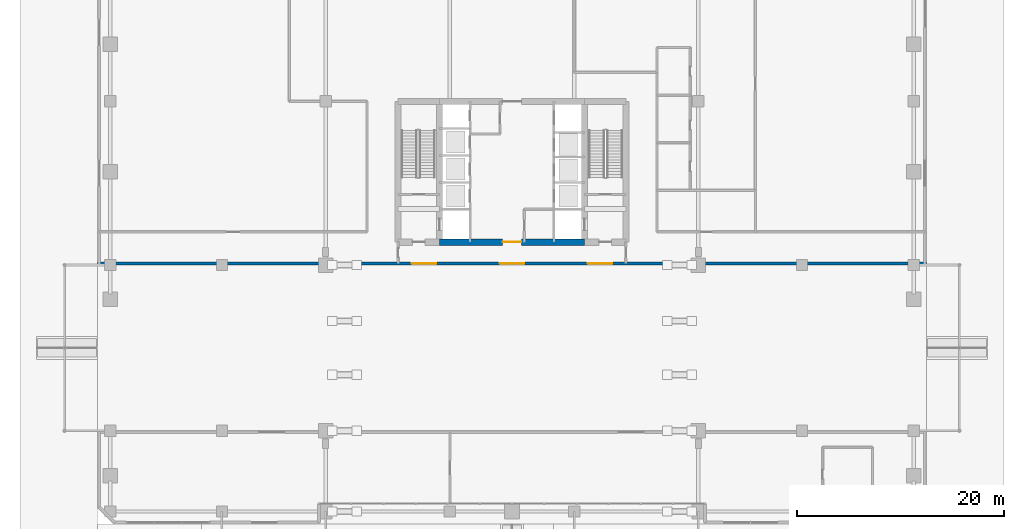
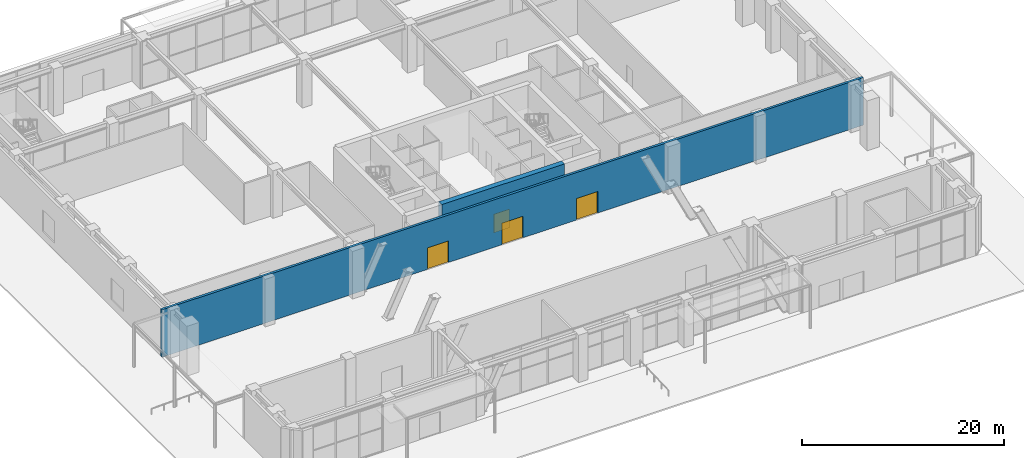
# One storey, part 36 of 49: 4 doors, 2 walls, 4 openings.
"""IFC4 building model written with IfcOpenShell, lengths in metres."""

from ifc_helpers import new_model, si_unit, direction, frame, frame_2d, origin, place, context, subcontext, project, spatial, rectangle, extrude, material, layer, layer_set, type_object, element, fill, save


model = new_model("IFC4")

# Units and contexts
model_context = context("Model", 3, precision=1e-05, world=origin(), true_north=direction((0.0, 1.0)))
body_context = subcontext(model_context, "Body", "Model", "MODEL_VIEW")
ifc_project = project(units=[si_unit("LENGTHUNIT", "METRE"), si_unit("AREAUNIT", "SQUARE_METRE"), si_unit("VOLUMEUNIT", "CUBIC_METRE"), si_unit("PLANEANGLEUNIT", "RADIAN"), si_unit("MASSUNIT", "GRAM", prefix="KILO")], contexts=[model_context])

# Site, building, storey
site_placement = place(None, origin())
site = spatial("IfcSite", under=ifc_project, at=site_placement, CompositionType="ELEMENT")
building_placement = place(site_placement, origin())
building = spatial("IfcBuilding", under=site, at=building_placement, Name="Sarneth Arch Tower", CompositionType="ELEMENT")
storey_placement = place(building_placement, origin())
storey = spatial("IfcBuildingStorey", under=building, at=storey_placement, Name="L00", CompositionType="ELEMENT", Elevation=0.0)

# Wall, opening, door
ifc_material_1 = material(Name="Concrete C60/75", Category="concrete")
ifc_layer_1 = layer(ifc_material_1, 0.60009765625)
ifc_layer_set_1 = layer_set([ifc_layer_1], Name="Concrete C60/75")
wall_type_1 = type_object("IfcWallType", Name="WALL-CORE-600", PredefinedType="SHEAR", material=ifc_layer_set_1)
wall_1_placement = place(storey_placement, frame((41.0, 35.199951171875, 0.0), z_axis=(0.0, 0.0, 1.0), x_axis=(1.0, 0.0, 0.0)))
wall_1 = element("IfcWall", 1, at=wall_1_placement, inside=storey, type_object=wall_type_1, Name="L00 Core shear wall S-M", PredefinedType="SHEAR", context=body_context, shape_type="SweptSolid", body=[
    extrude(rectangle(XDim=14.0, YDim=0.60009765625, at=frame_2d((7.0, 0.0))), origin(), (0.0, 0.0, 1.0), 5.719970703125),
])
opening_1_placement = place(wall_1_placement, frame((6.10009765625, 0.0, 0.0)))
opening_1 = element("IfcOpeningElement", 2, at=opening_1_placement, cuts=wall_1, Name="Opening FD-01", PredefinedType="OPENING", context=body_context, shape_type="SweptSolid", body=[
    extrude(rectangle(XDim=1.800048828125, YDim=2.25, at=frame_2d((0.89990234375, 1.125))), frame((0.0, 0.31005859375, 0.0), z_axis=(0.0, -1.0, 0.0), x_axis=(1.0, 0.0, 0.0)), (0.0, 0.0, 1.0), 0.6201171875),
])
ifc_material_2 = material(Name="Galvanised Steel S275 fire door set", Category="steel")
door_type_1 = type_object("IfcDoorType", Name="DR-FD90-1800", OperationType="DOUBLE_DOOR_SINGLE_SWING", PredefinedType="DOOR", material=ifc_material_2)
door_1_placement = place(opening_1_placement, origin())
door_1 = element("IfcDoor", 3, at=door_1_placement, inside=storey, type_object=door_type_1, Name="L00 Central lift lobby south door", OperationType="DOUBLE_DOOR_SINGLE_SWING", OverallHeight=2.25, OverallWidth=1.800048828125, PredefinedType="DOOR", context=body_context, shape_type="SweptSolid", body=[
    extrude(rectangle(XDim=1.800048828125, YDim=2.25, at=frame_2d((0.89990234375, 1.125))), frame((0.0, 0.02490234375, 0.0), z_axis=(0.0, -1.0, 0.0), x_axis=(1.0, 0.0, 0.0)), (0.0, 0.0, 1.0), 0.050048828125),
])
fill(opening_1, door_1)

# Wall, openings, doors
ifc_material_3 = material(Name="Extruded terracotta rainscreen on Concrete C40/50 backing", Category="masonry")
ifc_layer_2 = layer(ifc_material_3, 0.280029296875)
ifc_layer_set_2 = layer_set([ifc_layer_2], Name="Extruded terracotta rainscreen on Concrete C40/50 backing")
wall_type_2 = type_object("IfcWallType", Name="WALL-EXT-TERRA-280", PredefinedType="SOLIDWALL", material=ifc_layer_set_2)
wall_2_placement = place(storey_placement, frame((88.0, 33.14990234375, 0.0), z_axis=(0.0, 0.0, 1.0), x_axis=(-1.0, 0.0, 0.0)))
wall_2 = element("IfcWall", 4, at=wall_2_placement, inside=storey, type_object=wall_type_2, Name="L00 Arch passage north portal wall", PredefinedType="SOLIDWALL", context=body_context, shape_type="SweptSolid", body=[
    extrude(rectangle(XDim=80.0, YDim=0.280029296875, at=frame_2d((40.0, 0.0))), origin(), (0.0, 0.0, 1.0), 5.719970703125),
])
opening_2_placement = place(wall_2_placement, frame((47.300048828125, 0.0, 0.0)))
opening_2 = element("IfcOpeningElement", 5, at=opening_2_placement, cuts=wall_2, Name="Opening ED-1", PredefinedType="OPENING", context=body_context, shape_type="SweptSolid", body=[
    extrude(rectangle(XDim=2.39990234375, YDim=2.60009765625, at=frame_2d((1.199951171875, 1.300048828125))), frame((0.0, 0.14990234375, 0.0), z_axis=(0.0, -1.0, 0.0), x_axis=(1.0, 0.0, 0.0)), (0.0, 0.0, 1.0), 0.300048828125),
])
opening_3_placement = place(wall_2_placement, frame((38.800048828125, 0.0, 0.0)))
opening_3 = element("IfcOpeningElement", 6, at=opening_3_placement, cuts=wall_2, Name="Opening ED-1", PredefinedType="OPENING", context=body_context, shape_type="SweptSolid", body=[
    extrude(rectangle(XDim=2.39990234375, YDim=2.60009765625, at=frame_2d((1.199951171875, 1.300048828125))), frame((0.0, 0.14990234375, 0.0), z_axis=(0.0, -1.0, 0.0), x_axis=(1.0, 0.0, 0.0)), (0.0, 0.0, 1.0), 0.300048828125),
])
opening_4_placement = place(wall_2_placement, frame((30.300048828125, 0.0, 0.0)))
opening_4 = element("IfcOpeningElement", 7, at=opening_4_placement, cuts=wall_2, Name="Opening ED-1", PredefinedType="OPENING", context=body_context, shape_type="SweptSolid", body=[
    extrude(rectangle(XDim=2.39990234375, YDim=2.60009765625, at=frame_2d((1.199951171875, 1.300048828125))), frame((0.0, 0.14990234375, 0.0), z_axis=(0.0, -1.0, 0.0), x_axis=(1.0, 0.0, 0.0)), (0.0, 0.0, 1.0), 0.300048828125),
])
ifc_material_4 = material(Name="Thermally broken Aluminium 6063-T6 and laminated safety glass", Category="aluminium")
door_type_2 = type_object("IfcDoorType", Name="DR-EXT-DBL-2400", OperationType="DOUBLE_DOOR_SINGLE_SWING", PredefinedType="DOOR", material=ifc_material_4)
door_2_placement = place(opening_2_placement, origin())
door_2 = element("IfcDoor", 8, at=door_2_placement, inside=storey, type_object=door_type_2, Name="Arch Concourse North Portal Door 1", OperationType="DOUBLE_DOOR_SINGLE_SWING", OverallHeight=2.60009765625, OverallWidth=2.39990234375, PredefinedType="DOOR", context=body_context, shape_type="SweptSolid", body=[
    extrude(rectangle(XDim=2.39990234375, YDim=2.60009765625, at=frame_2d((1.199951171875, 1.300048828125))), frame((0.0, 0.02490234375, 0.0), z_axis=(0.0, -1.0, 0.0), x_axis=(1.0, 0.0, 0.0)), (0.0, 0.0, 1.0), 0.050048828125),
])
fill(opening_2, door_2)
door_3_placement = place(opening_3_placement, origin())
door_3 = element("IfcDoor", 9, at=door_3_placement, inside=storey, type_object=door_type_2, Name="Arch Concourse North Portal Door 2", OperationType="DOUBLE_DOOR_SINGLE_SWING", OverallHeight=2.60009765625, OverallWidth=2.39990234375, PredefinedType="DOOR", context=body_context, shape_type="SweptSolid", body=[
    extrude(rectangle(XDim=2.39990234375, YDim=2.60009765625, at=frame_2d((1.199951171875, 1.300048828125))), frame((0.0, 0.02490234375, 0.0), z_axis=(0.0, -1.0, 0.0), x_axis=(1.0, 0.0, 0.0)), (0.0, 0.0, 1.0), 0.050048828125),
])
fill(opening_3, door_3)
door_4_placement = place(opening_4_placement, origin())
door_4 = element("IfcDoor", 10, at=door_4_placement, inside=storey, type_object=door_type_2, Name="Arch Concourse North Portal Door 3", OperationType="DOUBLE_DOOR_SINGLE_SWING", OverallHeight=2.60009765625, OverallWidth=2.39990234375, PredefinedType="DOOR", context=body_context, shape_type="SweptSolid", body=[
    extrude(rectangle(XDim=2.39990234375, YDim=2.60009765625, at=frame_2d((1.199951171875, 1.300048828125))), frame((0.0, 0.02490234375, 0.0), z_axis=(0.0, -1.0, 0.0), x_axis=(1.0, 0.0, 0.0)), (0.0, 0.0, 1.0), 0.050048828125),
])
fill(opening_4, door_4)

save(model, "model.ifc")
